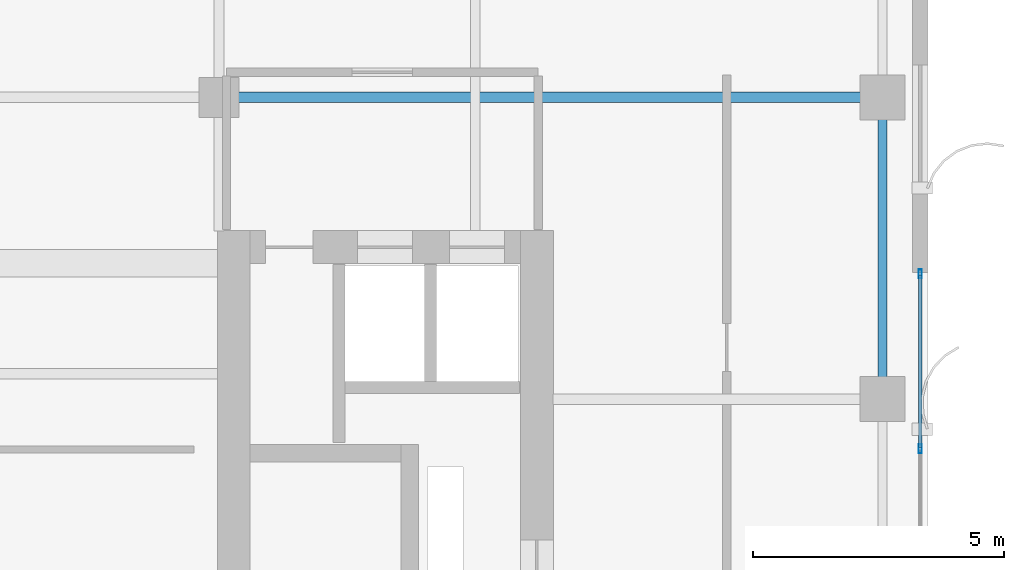
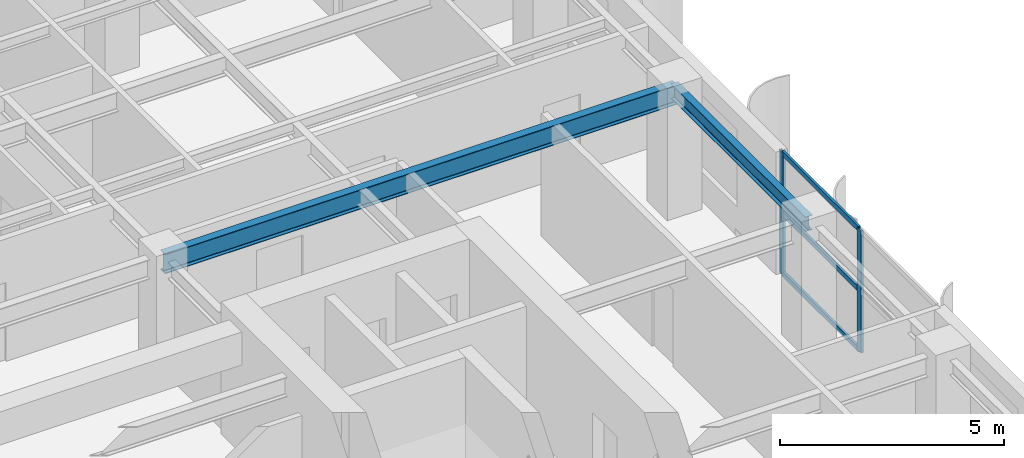
# One storey, part 10 of 23: 5 members, 2 beams, 1 element without a shape of its own.
"""IFC4 building model written with IfcOpenShell, lengths in metres."""

import ifcopenshell
import ifcopenshell.guid

model = None  # the IFC model being written
_history = None  # IfcOwnerHistory: only IFC2X3 demands one
_inside = {}  # id of a spatial element -> (the spatial element, [elements in it])
_under = {}  # id of a project, library or spatial element -> (it, [spatial elements below it])
_declared = {}  # id of a project -> (the project, [libraries it declares])
_typed = {}  # id of a type object -> (the type object, [elements of that type])
_made_of = {}  # id of a material, layer set ... -> (it, [elements and type objects made of it])


def new_model(schema):
    """Start an empty IFC model of exactly this schema.

    Asked for "IFC4X3", IfcOpenShell would pick the latest addendum, in which some entities
    have other attributes; the version numbers below select the first issue.
    IFC2X3 requires an IfcOwnerHistory on every rooted entity: one is made here for all.
    """
    global model, _history
    if schema == "IFC4X3":
        model = ifcopenshell.file(schema_version=(4, 3, 0, 0))
    else:
        model = ifcopenshell.file(schema=schema)
    _inside.clear()
    _under.clear()
    _declared.clear()
    _typed.clear()
    _made_of.clear()
    _history = None
    if model.schema == "IFC2X3":
        org = make("IfcOrganization", Name="unknown")
        user = make(
            "IfcPersonAndOrganization",
            ThePerson=make("IfcPerson", FamilyName="unknown"),
            TheOrganization=org,
        )
        app = make(
            "IfcApplication",
            ApplicationDeveloper=org,
            Version="unknown",
            ApplicationFullName="unknown",
            ApplicationIdentifier="unknown",
        )
        _history = make(
            "IfcOwnerHistory",
            OwningUser=user,
            OwningApplication=app,
            ChangeAction="ADDED",
            CreationDate=0,
        )
    return model


def make(cls, **values):
    """One entity of the class cls with the attributes given. An attribute that is None is left unset."""
    return model.create_entity(
        cls, **{name: value for name, value in values.items() if value is not None}
    )


def rooted(cls, **values):
    """An entity with a GlobalId (a new one), such as an element, a storey or a relation."""
    return make(cls, GlobalId=ifcopenshell.guid.new(), OwnerHistory=_history, **values)


def si_unit(unit_type, name, prefix=None):
    """IfcSIUnit, for example si_unit("LENGTHUNIT", "METRE", prefix="MILLI")."""
    return make("IfcSIUnit", UnitType=unit_type, Prefix=prefix, Name=name)


def assignment(units):
    """IfcUnitAssignment: the units of a project."""
    return None if units is None else make("IfcUnitAssignment", Units=units)


def point(xyz):
    """IfcCartesianPoint."""
    return None if xyz is None else make("IfcCartesianPoint", Coordinates=xyz)


def direction(xyz):
    """IfcDirection."""
    return None if xyz is None else make("IfcDirection", DirectionRatios=xyz)


def frame(location, z_axis=None, x_axis=None):
    """IfcAxis2Placement3D, a coordinate frame: its origin and axes. An axis left out is left unset."""
    return make(
        "IfcAxis2Placement3D",
        Location=point(location),
        Axis=direction(z_axis),
        RefDirection=direction(x_axis),
    )


def frame_2d(location, x_axis=None):
    """IfcAxis2Placement2D, a coordinate frame in the plane: its origin and x axis."""
    return make(
        "IfcAxis2Placement2D", Location=point(location), RefDirection=direction(x_axis)
    )


def origin():
    """The frame at (0, 0, 0) with its axes left unset."""
    return frame((0.0, 0.0, 0.0))


def origin_2d():
    """The frame at (0, 0) in the plane with its x axis left unset."""
    return frame_2d((0.0, 0.0))


def place(relative_to, where):
    """IfcLocalPlacement: puts the frame where relative to a parent placement (None: the world)."""
    return make(
        "IfcLocalPlacement", PlacementRelTo=relative_to, RelativePlacement=where
    )


def context(
    kind, dimensions, precision=None, world=None, true_north=None, identifier=None
):
    """IfcGeometricRepresentationContext, for example the 3D "Model" context."""
    return make(
        "IfcGeometricRepresentationContext",
        ContextIdentifier=identifier,
        ContextType=kind,
        CoordinateSpaceDimension=dimensions,
        Precision=precision,
        WorldCoordinateSystem=world,
        TrueNorth=true_north,
    )


def subcontext(parent, identifier, kind, view, scale=None):
    """IfcGeometricRepresentationSubContext, for example "Body" below "Model"."""
    return make(
        "IfcGeometricRepresentationSubContext",
        ContextIdentifier=identifier,
        ContextType=kind,
        ParentContext=parent,
        TargetScale=scale,
        TargetView=view,
    )


def project(units=None, contexts=None):
    """IfcProject with its units and contexts."""
    return rooted(
        "IfcProject",
        Name="project",
        RepresentationContexts=contexts,
        UnitsInContext=assignment(units),
    )


def spatial(cls, under=None, at=None, **own):
    """A site, building, storey or space (cls), placed at a placement, below another one or the project."""
    s = rooted(cls, ObjectPlacement=at, **own)
    if under is not None:
        _under.setdefault(under.id(), (under, []))[1].append(s)
    return s


def profile(cls, at=None, kind="AREA", **sizes):
    """A parametric profile (cls). Its sizes go by their IFC names, for example OverallWidth=200.0."""
    return make(cls, ProfileType=kind, Position=at, **sizes)


def hollow_rectangle(**sizes):
    """IfcRectangleHollowProfileDef."""
    return profile("IfcRectangleHollowProfileDef", **sizes)


def i_section(**sizes):
    """IfcIShapeProfileDef."""
    return profile("IfcIShapeProfileDef", **sizes)


def extrude(swept, where, along, depth):
    """IfcExtrudedAreaSolid: the profile swept, set in the frame where, extruded along a direction by depth."""
    return make(
        "IfcExtrudedAreaSolid",
        SweptArea=swept,
        Position=where,
        ExtrudedDirection=direction(along),
        Depth=depth,
    )


def shape(context_of_items, identifier, shape_type, items):
    """IfcShapeRepresentation: the items that make up one representation, for example the "Body"."""
    return make(
        "IfcShapeRepresentation",
        ContextOfItems=context_of_items,
        RepresentationIdentifier=identifier,
        RepresentationType=shape_type,
        Items=items,
    )


def source(mapping_origin, context_of_items, identifier, shape_type, items):
    """IfcRepresentationMap: a shape defined once, which mapped items show again and again."""
    return make(
        "IfcRepresentationMap",
        MappingOrigin=mapping_origin,
        MappedRepresentation=shape(context_of_items, identifier, shape_type, items),
    )


def transform(
    local_origin,
    x_axis=None,
    y_axis=None,
    z_axis=None,
    scale=None,
    scale2=None,
    scale3=None,
    uniform=True,
):
    """IfcCartesianTransformationOperator3D, or its non-uniform kind. x_axis, y_axis, z_axis: its Axis1, 2, 3."""
    if uniform:
        return make(
            "IfcCartesianTransformationOperator3D",
            Axis1=direction(x_axis),
            Axis2=direction(y_axis),
            LocalOrigin=point(local_origin),
            Scale=scale,
            Axis3=direction(z_axis),
        )
    return make(
        "IfcCartesianTransformationOperator3DnonUniform",
        Axis1=direction(x_axis),
        Axis2=direction(y_axis),
        LocalOrigin=point(local_origin),
        Scale=scale,
        Axis3=direction(z_axis),
        Scale2=scale2,
        Scale3=scale3,
    )


def mapped(mapping_source, mapping_target):
    """IfcMappedItem: shows the shape of a source again, moved by a transform."""
    return make(
        "IfcMappedItem", MappingSource=mapping_source, MappingTarget=mapping_target
    )


def material(Name=None, Category=None):
    """IfcMaterial."""
    return make("IfcMaterial", Name=Name, Category=Category)


def layer(
    of_material, thickness, ventilated=None, Name=None, Category=None, Priority=None
):
    """IfcMaterialLayer: one layer of a wall or slab, of a material (None: an air gap)."""
    return make(
        "IfcMaterialLayer",
        Material=of_material,
        LayerThickness=thickness,
        IsVentilated=ventilated,
        Name=Name,
        Category=Category,
        Priority=Priority,
    )


def layer_set(layers, Name=None):
    """IfcMaterialLayerSet."""
    return make("IfcMaterialLayerSet", MaterialLayers=layers, LayerSetName=Name)


def material_profile(
    of_material, cross_section, Name=None, Category=None, Priority=None
):
    """IfcMaterialProfile: a cross section and its material."""
    return make(
        "IfcMaterialProfile",
        Name=Name,
        Material=of_material,
        Profile=cross_section,
        Priority=Priority,
        Category=Category,
    )


def profile_set(profiles, Name=None, composite=None):
    """IfcMaterialProfileSet."""
    return make(
        "IfcMaterialProfileSet",
        Name=Name,
        MaterialProfiles=profiles,
        CompositeProfile=composite,
    )


def made_of(thing, what):
    """Note that an element or type object is made of a material, layer set ...; save() writes the relation."""
    if what is not None:
        _made_of.setdefault(what.id(), (what, []))[1].append(thing)
    return thing


def type_object(cls, material=None, **own):
    """A type object (cls), such as IfcWallType, which elements share."""
    return made_of(rooted(cls, **own), material)


def element(
    cls,
    number,
    at=None,
    inside=None,
    cuts=None,
    type_object=None,
    material=None,
    context=None,
    identifier="Body",
    shape_type=None,
    held_by="IfcProductDefinitionShape",
    body=None,
    shapes=None,
    **own,
):
    """One element of the class cls, such as IfcWall. Its Tag is "e" and its number.

    at: its placement. inside: the storey or other place that contains it. cuts: it is an
    opening in that element (IfcRelVoidsElement). A single representation is given by context,
    identifier, shape_type and body (its items); several are given by shapes. held_by: the class
    of the entity that holds the representations. save() writes the other relations.
    """
    e = rooted(cls, Tag="e%d" % number, ObjectPlacement=at, **own)
    if body is not None:
        shapes = [shape(context, identifier, shape_type, body)]
    if shapes is not None:
        e.Representation = make(held_by, Representations=shapes)
    if inside is not None:
        _inside.setdefault(inside.id(), (inside, []))[1].append(e)
    if cuts is not None:
        rooted(
            "IfcRelVoidsElement", RelatingBuildingElement=cuts, RelatedOpeningElement=e
        )
    if type_object is not None:
        _typed.setdefault(type_object.id(), (type_object, []))[1].append(e)
    return made_of(e, material)


def aggregate(whole, parts):
    """IfcRelAggregates: a whole, such as a stair, and the parts it consists of."""
    return rooted("IfcRelAggregates", RelatingObject=whole, RelatedObjects=parts)


def save(model, path):
    """Write the relations noted so far, then the file.

    IfcRelAggregates (storeys below a building ...), IfcRelContainedInSpatialStructure (elements
    in a storey), IfcRelDefinesByType, IfcRelAssociatesMaterial and IfcRelDeclares: one each for
    every whole, place, type object, material and project.
    """
    for whole, parts in _under.values():
        aggregate(whole, parts)
    for where, things in _inside.values():
        rooted(
            "IfcRelContainedInSpatialStructure",
            RelatedElements=things,
            RelatingStructure=where,
        )
    for kind, things in _typed.values():
        rooted("IfcRelDefinesByType", RelatedObjects=things, RelatingType=kind)
    for what, things in _made_of.values():
        rooted("IfcRelAssociatesMaterial", RelatedObjects=things, RelatingMaterial=what)
    for by, libraries in _declared.values():
        rooted("IfcRelDeclares", RelatingContext=by, RelatedDefinitions=libraries)
    model.write(path)


model = new_model("IFC4")

# Units and contexts
model_context = context("Model", 3, precision=1e-05, world=origin(), true_north=direction((0.0, 1.0)))
body_context = subcontext(model_context, "Body", "Model", "MODEL_VIEW")
ifc_project = project(units=[si_unit("LENGTHUNIT", "METRE"), si_unit("AREAUNIT", "SQUARE_METRE"), si_unit("VOLUMEUNIT", "CUBIC_METRE"), si_unit("PLANEANGLEUNIT", "RADIAN"), si_unit("MASSUNIT", "GRAM", prefix="KILO")], contexts=[model_context])

# Site, building, storey
site_placement = place(None, origin())
site = spatial("IfcSite", under=ifc_project, at=site_placement, CompositionType="ELEMENT")
building_placement = place(site_placement, origin())
building = spatial("IfcBuilding", under=site, at=building_placement, Name="Khoralis Quay Care Tower", CompositionType="ELEMENT")
storey_placement = place(building_placement, frame((0.0, 0.0, 173.699951171875)))
storey = spatial("IfcBuildingStorey", under=building, at=storey_placement, Name="L45", CompositionType="ELEMENT", Elevation=173.699951171875)

# Beams
ifc_material_1 = material(Name="Steel S355", Category="steel")
ifc_material_profile_1 = material_profile(ifc_material_1, i_section(OverallWidth=0.179931640625, OverallDepth=0.39990234375, WebThickness=0.008544921875, FlangeThickness=0.013427734375, FilletRadius=0.02099609375, at=origin_2d()), Name="Steel S355")
ifc_profile_set_1 = profile_set([ifc_material_profile_1], Name="Steel S355")
beam_type_1 = type_object("IfcBeamType", Name="BM-IPE400", PredefinedType="SPANDREL", material=ifc_profile_set_1)
shared_shape_1 = source(origin(), body_context, "Body", "SweptSolid", [
    extrude(i_section(OverallWidth=0.179931640625, OverallDepth=0.39990234375, WebThickness=0.008544921875, FlangeThickness=0.013427734375, FilletRadius=0.02099609375, at=origin_2d()), origin(), (0.0, 0.0, 1.0), 6.0),
])
beam_1_placement = place(storey_placement, frame((44.10009765625, 24.0, 3.14013671875), z_axis=(0.0, 1.0, 0.0), x_axis=(-1.0, 0.0, 0.0)))
element("IfcBeam", 1, at=beam_1_placement, inside=storey, type_object=beam_type_1, Name="BM-TSP-L45-17", PredefinedType="SPANDREL", context=body_context, shape_type="MappedRepresentation", body=[
    mapped(shared_shape_1, transform((0.0, 0.0, 0.0), scale=1.0)),
])
ifc_material_profile_2 = material_profile(ifc_material_1, i_section(OverallWidth=0.208984375, OverallDepth=0.532958984375, WebThickness=0.01025390625, FlangeThickness=0.015625, FilletRadius=0.01611328125, at=origin_2d()), Name="Steel S355")
ifc_profile_set_2 = profile_set([ifc_material_profile_2], Name="Steel S355")
beam_type_2 = type_object("IfcBeamType", Name="BM-W530X92", PredefinedType="BEAM", material=ifc_profile_set_2)
shared_shape_2 = source(origin(), body_context, "Body", "SweptSolid", [
    extrude(i_section(OverallWidth=0.208984375, OverallDepth=0.532958984375, WebThickness=0.01025390625, FlangeThickness=0.015625, FilletRadius=0.01611328125, at=origin_2d()), origin(), (0.0, 0.0, 1.0), 13.2001953125),
])
beam_2_placement = place(storey_placement, frame((30.89990234375, 30.0, 3.073486328125), z_axis=(1.0, 0.0, 0.0), x_axis=(0.0, 1.0, 0.0)))
element("IfcBeam", 2, at=beam_2_placement, inside=storey, type_object=beam_type_2, Name="BM-TGXE-L45-300", PredefinedType="BEAM", context=body_context, shape_type="MappedRepresentation", body=[
    mapped(shared_shape_2, transform((0.0, 0.0, 0.0), scale=1.0)),
])

# Curtain wall, members
ifc_material_2 = material(Name="Pale anodised aluminium", Category="aluminium")
ifc_layer = layer(ifc_material_2, 0.159912109375)
ifc_layer_set = layer_set([ifc_layer], Name="Pale anodised aluminium")
curtain_wall_type = type_object("IfcCurtainWallType", Name="CW-SYS-Z3", PredefinedType="NOTDEFINED", material=ifc_layer_set)
curtain_wall_placement = place(storey_placement, origin())
curtain_wall = element("IfcCurtainWall", 3, at=curtain_wall_placement, inside=storey, type_object=curtain_wall_type, Name="L45 Unitised Curtain Wall CW-L45-P1-E5", PredefinedType="NOTDEFINED")
ifc_material_profile_3 = material_profile(ifc_material_2, hollow_rectangle(XDim=0.06494140625, YDim=0.179931640625, WallThickness=0.00390625, at=origin_2d()), Name="Pale anodised aluminium")
ifc_profile_set_3 = profile_set([ifc_material_profile_3], Name="Pale anodised aluminium")
member_type_1 = type_object("IfcMemberType", Name="CW-MUL-180", PredefinedType="MULLION", material=ifc_profile_set_3)
shared_shape_3 = source(origin(), body_context, "Body", "SweptSolid", [
    extrude(hollow_rectangle(XDim=0.06494140625, YDim=0.179931640625, WallThickness=0.00390625, at=origin_2d()), origin(), (0.0, 0.0, 1.0), 3.340087890625),
])
member_1_placement = place(storey_placement, frame((44.85009765625, 23.010009765625, 0.0), z_axis=(0.0, 0.0, 1.0), x_axis=(-1.0, 0.0, 0.0)))
member_1 = element("IfcMember", 4, at=member_1_placement, type_object=member_type_1, Name="CW3 mullion 2", PredefinedType="MULLION", context=body_context, shape_type="MappedRepresentation", body=[
    mapped(shared_shape_3, transform((0.0, 0.0, 0.0), scale=1.0)),
])
member_2_placement = place(storey_placement, frame((44.85009765625, 26.489990234375, 0.0), z_axis=(0.0, 0.0, 1.0), x_axis=(-1.0, 0.0, 0.0)))
member_2 = element("IfcMember", 5, at=member_2_placement, type_object=member_type_1, Name="CW3 mullion 3", PredefinedType="MULLION", context=body_context, shape_type="MappedRepresentation", body=[
    mapped(shared_shape_3, transform((0.0, 0.0, 0.0), scale=1.0)),
])
ifc_material_profile_4 = material_profile(ifc_material_2, hollow_rectangle(XDim=0.06005859375, YDim=0.139892578125, WallThickness=0.00390625, at=origin_2d()), Name="Pale anodised aluminium")
ifc_profile_set_4 = profile_set([ifc_material_profile_4], Name="Pale anodised aluminium")
member_type_2 = type_object("IfcMemberType", Name="CW-TRN-140", PredefinedType="USERDEFINED", material=ifc_profile_set_4)
shared_shape_4 = source(origin(), body_context, "Body", "SweptSolid", [
    extrude(hollow_rectangle(XDim=0.06005859375, YDim=0.139892578125, WallThickness=0.00390625, at=origin_2d()), origin(), (0.0, 0.0, 1.0), 3.419921875),
])
member_3_placement = place(storey_placement, frame((44.85009765625, 23.0400390625, 0.030029296875), z_axis=(0.0, 1.0, 0.0), x_axis=(-1.0, 0.0, 0.0)))
member_3 = element("IfcMember", 6, at=member_3_placement, type_object=member_type_2, Name="CW3 transom 2.1", ObjectType="TRANSOM", PredefinedType="USERDEFINED", context=body_context, shape_type="MappedRepresentation", body=[
    mapped(shared_shape_4, transform((0.0, 0.0, 0.0), scale=1.0)),
])
member_4_placement = place(storey_placement, frame((44.85009765625, 23.0400390625, 1.670166015625), z_axis=(0.0, 1.0, 0.0), x_axis=(-1.0, 0.0, 0.0)))
member_4 = element("IfcMember", 7, at=member_4_placement, type_object=member_type_2, Name="CW3 transom 2.2", ObjectType="TRANSOM", PredefinedType="USERDEFINED", context=body_context, shape_type="MappedRepresentation", body=[
    mapped(shared_shape_4, transform((0.0, 0.0, 0.0), scale=1.0)),
])
member_5_placement = place(storey_placement, frame((44.85009765625, 23.0400390625, 3.31005859375), z_axis=(0.0, 1.0, 0.0), x_axis=(-1.0, 0.0, 0.0)))
member_5 = element("IfcMember", 8, at=member_5_placement, type_object=member_type_2, Name="CW3 transom 2.3", ObjectType="TRANSOM", PredefinedType="USERDEFINED", context=body_context, shape_type="MappedRepresentation", body=[
    mapped(shared_shape_4, transform((0.0, 0.0, 0.0), scale=1.0)),
])
aggregate(curtain_wall, [member_1, member_2, member_3, member_4, member_5])

save(model, "model.ifc")
